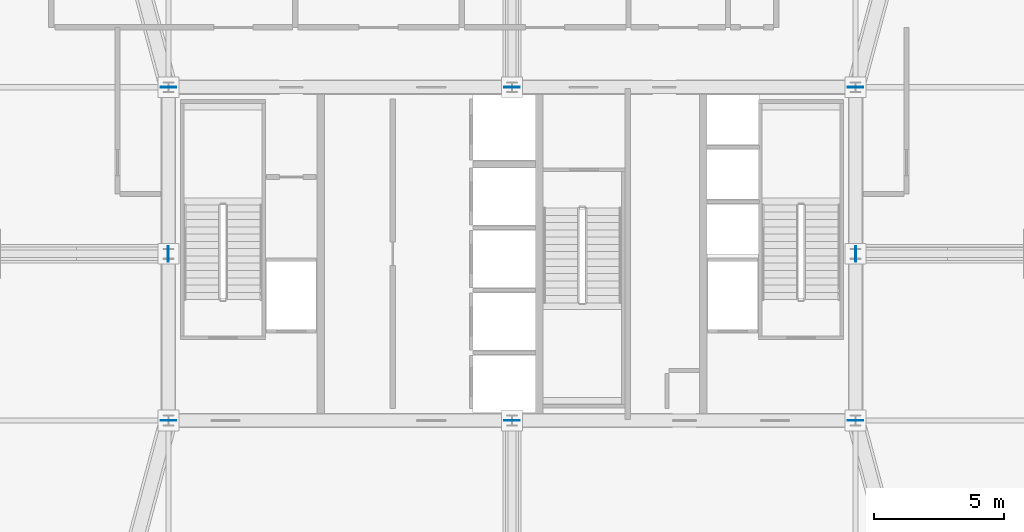
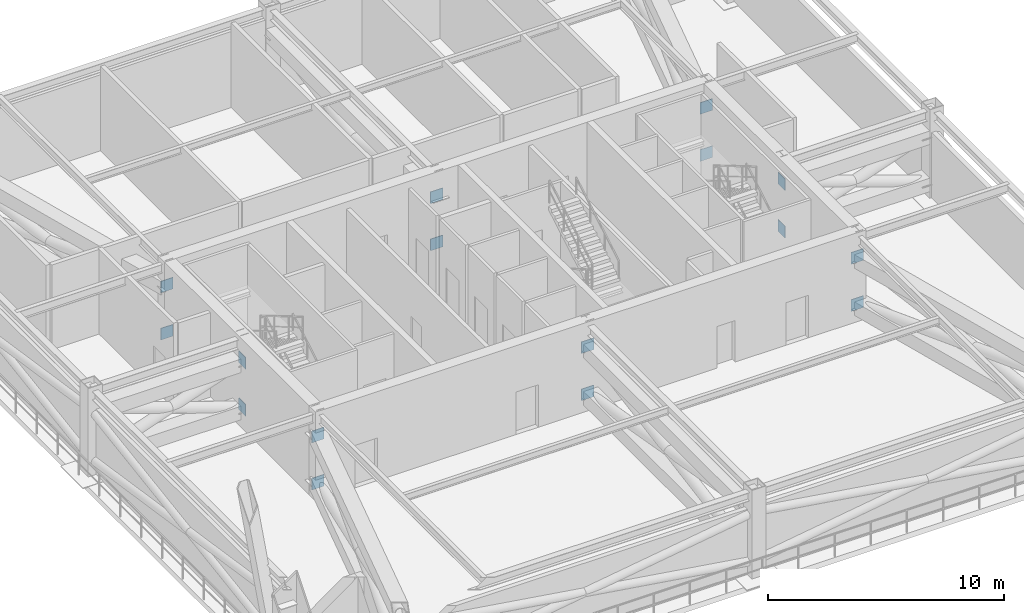
# One storey, part 6 of 9: 16 discrete accessories.
"""IFC4 building model written with IfcOpenShell, lengths in metres."""

from ifc_helpers import new_model, si_unit, direction, frame, origin, origin_2d, place, context, subcontext, project, spatial, rectangle, extrude, source, transform, mapped, material, layer, layer_set, type_object, element, save


model = new_model("IFC4")

# Units and contexts
model_context = context("Model", 3, precision=1e-05, world=origin(), true_north=direction((0.0, 1.0)))
body_context = subcontext(model_context, "Body", "Model", "MODEL_VIEW")
ifc_project = project(units=[si_unit("LENGTHUNIT", "METRE"), si_unit("AREAUNIT", "SQUARE_METRE"), si_unit("VOLUMEUNIT", "CUBIC_METRE"), si_unit("PLANEANGLEUNIT", "RADIAN"), si_unit("MASSUNIT", "GRAM", prefix="KILO"), si_unit("THERMODYNAMICTEMPERATUREUNIT", "KELVIN"), si_unit("POWERUNIT", "WATT")], contexts=[model_context])

# Site, building, storey
site_placement = place(None, origin())
site = spatial("IfcSite", under=ifc_project, at=site_placement, CompositionType="ELEMENT")
building_placement = place(site_placement, origin())
building = spatial("IfcBuilding", under=site, at=building_placement, Name="Yuzanri Waterfront Tower", CompositionType="ELEMENT")
storey_placement = place(building_placement, frame((0.0, 0.0, 219.5)))
storey = spatial("IfcBuildingStorey", under=building, at=storey_placement, Name="L58", CompositionType="ELEMENT", Elevation=219.5)

# Discrete accessories
ifc_material = material(Name="Steel Q355B", Category="steel")
ifc_layer = layer(ifc_material, 0.031982421875)
ifc_layer_set = layer_set([ifc_layer], Name="Steel Q355B")
discrete_accessory_type = type_object("IfcDiscreteAccessoryType", Name="Steel Q355B Core Wall Cast-In Embed Plate 600x600x32", PredefinedType="USERDEFINED", material=ifc_layer_set)
shared_shape = source(origin(), body_context, "Body", "SweptSolid", [
    extrude(rectangle(XDim=0.60009765625, YDim=0.031982421875, at=origin_2d()), origin(), (0.0, 0.0, 1.0), 0.60009765625),
])
for number, where, z_axis, x_axis, name in (
    (1, (37.0, 19.39990234375, 0.419921875), (0.0, 0.0, 1.0), (1.0, 0.0, 0.0), "Core Wall Cast-In Embed Plate EP-01"),
    (2, (37.0, 19.39990234375, 2.85986328125), (0.0, 0.0, 1.0), (1.0, 0.0, 0.0), "Core Wall Cast-In Embed Plate EP-01"),
    (3, (37.0, 32.199951171875, 0.419921875), (0.0, 0.0, 1.0), (1.0, 0.0, 0.0), "Core Wall Cast-In Embed Plate EP-01"),
    (4, (37.0, 32.199951171875, 2.85986328125), (0.0, 0.0, 1.0), (1.0, 0.0, 0.0), "Core Wall Cast-In Embed Plate EP-01"),
    (5, (23.800048828125, 25.800048828125, 0.419921875), (0.0, 0.0, 1.0), (0.0, 1.0, 0.0), "Core Wall Cast-In Embed Plate EP-01"),
    (6, (23.800048828125, 25.800048828125, 2.85986328125), (0.0, 0.0, 1.0), (0.0, 1.0, 0.0), "Core Wall Cast-In Embed Plate EP-01"),
    (7, (50.199951171875, 25.800048828125, 0.419921875), (0.0, 0.0, 1.0), (0.0, 1.0, 0.0), "Core Wall Cast-In Embed Plate EP-01"),
    (8, (50.199951171875, 25.800048828125, 2.85986328125), (0.0, 0.0, 1.0), (0.0, 1.0, 0.0), "Core Wall Cast-In Embed Plate EP-01"),
    (9, (23.800048828125, 19.39990234375, 0.419921875), (0.0, 0.0, 1.0), (1.0, 0.0, 0.0), "Core Wall Cast-In Embed Plate EP-01"),
    (10, (23.800048828125, 19.39990234375, 2.85986328125), (0.0, 0.0, 1.0), (1.0, 0.0, 0.0), "Core Wall Cast-In Embed Plate EP-01"),
    (11, (50.199951171875, 19.39990234375, 0.419921875), (0.0, 0.0, 1.0), (1.0, 0.0, 0.0), "Core Wall Cast-In Embed Plate EP-01"),
    (12, (50.199951171875, 19.39990234375, 2.85986328125), (0.0, 0.0, 1.0), (1.0, 0.0, 0.0), "Core Wall Cast-In Embed Plate EP-01"),
    (13, (23.800048828125, 32.199951171875, 0.419921875), (0.0, 0.0, 1.0), (1.0, 0.0, 0.0), "Core Wall Cast-In Embed Plate EP-01"),
    (14, (23.800048828125, 32.199951171875, 2.85986328125), (0.0, 0.0, 1.0), (1.0, 0.0, 0.0), "Core Wall Cast-In Embed Plate EP-01"),
    (15, (50.199951171875, 32.199951171875, 0.419921875), (0.0, 0.0, 1.0), (1.0, 0.0, 0.0), "Core Wall Cast-In Embed Plate EP-01"),
    (16, (50.199951171875, 32.199951171875, 2.85986328125), (0.0, 0.0, 1.0), (1.0, 0.0, 0.0), "Core Wall Cast-In Embed Plate EP-01"),
):
    element("IfcDiscreteAccessory", number, at=place(storey_placement, frame(where, z_axis=z_axis, x_axis=x_axis)), inside=storey, type_object=discrete_accessory_type, Name=name, ObjectType="CAST-IN EMBED PLATE", PredefinedType="USERDEFINED", context=body_context, shape_type="MappedRepresentation", body=[
        mapped(shared_shape, transform((0.0, 0.0, 0.0), scale=1.0)),
    ])

save(model, "model.ifc")
